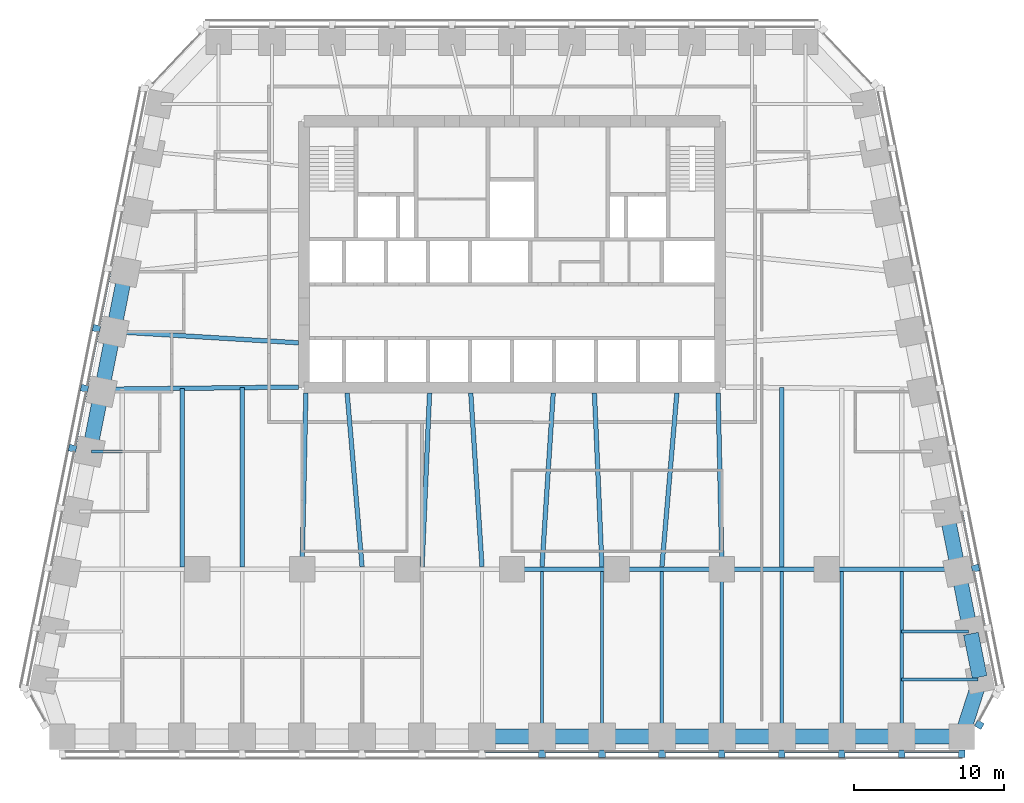
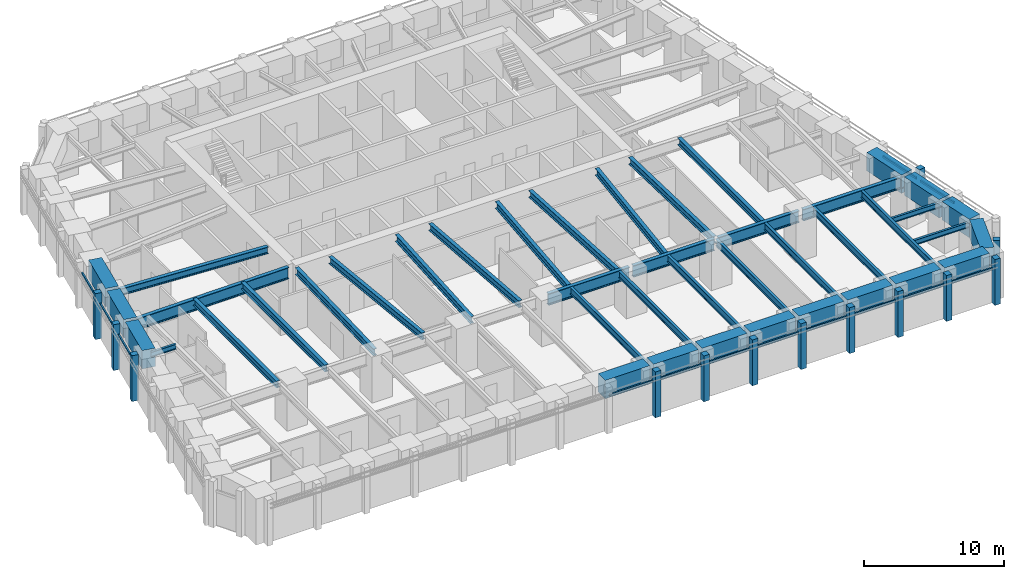
# One storey, part 2 of 10: 42 beams, 26 members, 4 elements without a shape of their own.
"""IFC4 building model written with IfcOpenShell, lengths in metres."""

from ifc_helpers import new_model, si_unit, direction, frame, origin, origin_2d, place, context, subcontext, project, spatial, rectangle, i_section, extrude, material, material_profile, profile_set, type_object, element, aggregate, save


model = new_model("IFC4")

# Units and contexts
model_context = context("Model", 3, precision=1e-05, world=origin(), true_north=direction((0.0, 1.0)))
body_context = subcontext(model_context, "Body", "Model", "MODEL_VIEW")
ifc_project = project(units=[si_unit("LENGTHUNIT", "METRE"), si_unit("AREAUNIT", "SQUARE_METRE"), si_unit("VOLUMEUNIT", "CUBIC_METRE"), si_unit("PLANEANGLEUNIT", "RADIAN"), si_unit("MASSUNIT", "GRAM", prefix="KILO")], contexts=[model_context])

# Site, building, storey
site_placement = place(None, origin())
site = spatial("IfcSite", under=ifc_project, at=site_placement, CompositionType="ELEMENT")
building_placement = place(site_placement, origin())
building = spatial("IfcBuilding", under=site, at=building_placement, Name="Isbrekke Arena Tower", CompositionType="ELEMENT")
storey_placement = place(building_placement, frame((0.0, 0.0, 103.0)))
storey = spatial("IfcBuildingStorey", under=building, at=storey_placement, Name="L22", CompositionType="ELEMENT", Elevation=103.0)

# Beams
ifc_material_1 = material(Name="Steel S355", Category="steel")
ifc_material_profile_1 = material_profile(ifc_material_1, i_section(OverallWidth=0.219970703125, OverallDepth=0.60009765625, WebThickness=0.011962890625, FlangeThickness=0.01904296875, FilletRadius=0.02392578125, at=origin_2d()), Name="IPE 600")
ifc_profile_set_1 = profile_set([ifc_material_profile_1], Name="Steel S355")
beam_type_1 = type_object("IfcBeamType", Name="B1 IPE 600", PredefinedType="BEAM", material=ifc_profile_set_1)
for number, where, z_axis, x_axis, name in (
    (1, (2.0, -17.02490234375, 3.550048828125), (0.0, 1.0, 0.0), (-1.0, 0.0, 0.0), "B1 beam S-S09 L22"),
    (2, (6.0, -17.02490234375, 3.550048828125), (0.0, 1.0, 0.0), (-1.0, 0.0, 0.0), "B1 beam S-S10 L22"),
    (3, (10.0, -17.02490234375, 3.550048828125), (0.0, 1.0, 0.0), (-1.0, 0.0, 0.0), "B1 beam S-S11 L22"),
):
    element("IfcBeam", number, at=place(storey_placement, frame(where, z_axis=z_axis, x_axis=x_axis)), inside=storey, type_object=beam_type_1, Name=name, PredefinedType="BEAM", context=body_context, shape_type="SweptSolid", body=[
        extrude(i_section(OverallWidth=0.219970703125, OverallDepth=0.60009765625, WebThickness=0.011962890625, FlangeThickness=0.01904296875, FilletRadius=0.02392578125, at=origin_2d()), origin(), (0.0, 0.0, 1.0), 10.8740234375),
    ])
beam_1_placement = place(storey_placement, frame((14.0, -17.02490234375, 3.550048828125), z_axis=(0.0, 1.0, 0.0), x_axis=(-1.0, 0.0, 0.0)))
element("IfcBeam", 4, at=beam_1_placement, inside=storey, type_object=beam_type_1, Name="B1 beam S-S12 L22", PredefinedType="BEAM", context=body_context, shape_type="SweptSolid", body=[
    extrude(i_section(OverallWidth=0.219970703125, OverallDepth=0.60009765625, WebThickness=0.011962890625, FlangeThickness=0.01904296875, FilletRadius=0.02392578125, at=origin_2d()), origin(), (0.0, 0.0, 1.0), 10.875),
])
for number, where, z_axis, x_axis, name in (
    (5, (18.0, -17.02490234375, 3.550048828125), (0.0, 1.0, 0.0), (-1.0, 0.0, 0.0), "B1 beam S-S13 L22"),
    (6, (22.0, -17.02490234375, 3.550048828125), (0.0, 1.0, 0.0), (-1.0, 0.0, 0.0), "B1 beam S-S14 L22"),
    (7, (26.0, -17.02490234375, 3.550048828125), (0.0, 1.0, 0.0), (-1.0, 0.0, 0.0), "B1 beam S-S15 L22"),
):
    element("IfcBeam", number, at=place(storey_placement, frame(where, z_axis=z_axis, x_axis=x_axis)), inside=storey, type_object=beam_type_1, Name=name, PredefinedType="BEAM", context=body_context, shape_type="SweptSolid", body=[
        extrude(i_section(OverallWidth=0.219970703125, OverallDepth=0.60009765625, WebThickness=0.011962890625, FlangeThickness=0.01904296875, FilletRadius=0.02392578125, at=origin_2d()), origin(), (0.0, 0.0, 1.0), 10.8740234375),
    ])
ifc_material_2 = material(Name="Steel S355", Category="steel")
ifc_material_profile_2 = material_profile(ifc_material_2, i_section(OverallWidth=0.18994140625, OverallDepth=0.449951171875, WebThickness=0.009521484375, FlangeThickness=0.0146484375, FilletRadius=0.02099609375, at=origin_2d()), Name="IPE 450")
ifc_profile_set_2 = profile_set([ifc_material_profile_2], Name="Steel S355")
beam_type_2 = type_object("IfcBeamType", Name="B2 IPE 450", PredefinedType="BEAM", material=ifc_profile_set_2)
beam_2_placement = place(storey_placement, frame((31.079345703125, -13.352783203125, 3.625), z_axis=(-1.0, 0.0, 0.0), x_axis=(0.0, -1.0, 0.0)))
element("IfcBeam", 8, at=beam_2_placement, inside=storey, type_object=beam_type_2, Name="B2 beam E-E01 L22", PredefinedType="BEAM", context=body_context, shape_type="SweptSolid", body=[
    extrude(i_section(OverallWidth=0.18994140625, OverallDepth=0.449951171875, WebThickness=0.009521484375, FlangeThickness=0.0146484375, FilletRadius=0.02099609375, at=origin_2d()), origin(), (0.0, 0.0, 1.0), 5.079345703125),
])
beam_3_placement = place(storey_placement, frame((30.44091796875, -10.161865234375, 3.625), z_axis=(-1.0, 0.0, 0.0), x_axis=(0.0, -1.0, 0.0)))
element("IfcBeam", 9, at=beam_3_placement, inside=storey, type_object=beam_type_2, Name="B2 beam E-E02 L22", PredefinedType="BEAM", context=body_context, shape_type="SweptSolid", body=[
    extrude(i_section(OverallWidth=0.18994140625, OverallDepth=0.449951171875, WebThickness=0.009521484375, FlangeThickness=0.0146484375, FilletRadius=0.02099609375, at=origin_2d()), origin(), (0.0, 0.0, 1.0), 4.44091796875),
])
beam_4_placement = place(storey_placement, frame((-28.041015625, 1.838134765625, 3.625), z_axis=(1.0, 0.0, 0.0), x_axis=(0.0, 1.0, 0.0)))
element("IfcBeam", 10, at=beam_4_placement, inside=storey, type_object=beam_type_2, Name="B2 beam E-W07 L22", PredefinedType="BEAM", context=body_context, shape_type="SweptSolid", body=[
    extrude(i_section(OverallWidth=0.18994140625, OverallDepth=0.449951171875, WebThickness=0.009521484375, FlangeThickness=0.0146484375, FilletRadius=0.02099609375, at=origin_2d()), origin(), (0.0, 0.0, 1.0), 2.041015625),
])
ifc_material_3 = material(Name="Steel S355", Category="steel")
ifc_material_profile_3 = material_profile(ifc_material_3, i_section(OverallWidth=0.300048828125, OverallDepth=0.60009765625, WebThickness=0.015380859375, FlangeThickness=0.030029296875, FilletRadius=0.027099609375, at=origin_2d()), Name="HEB 600")
ifc_profile_set_3 = profile_set([ifc_material_profile_3], Name="Steel S355")
beam_type_3 = type_object("IfcBeamType", Name="B7 HEB 600", PredefinedType="BEAM", material=ifc_profile_set_3)
beam_5_placement = place(storey_placement, frame((-22.0, -5.84912109375, 3.550048828125), z_axis=(0.0, 1.0, 0.0), x_axis=(-1.0, 0.0, 0.0)))
element("IfcBeam", 11, at=beam_5_placement, inside=storey, type_object=beam_type_3, Name="B7 beam C-M02 L22", PredefinedType="BEAM", context=body_context, shape_type="SweptSolid", body=[
    extrude(i_section(OverallWidth=0.300048828125, OverallDepth=0.60009765625, WebThickness=0.015380859375, FlangeThickness=0.030029296875, FilletRadius=0.027099609375, at=origin_2d()), origin(), (0.0, 0.0, 1.0), 11.91064453125),
])
beam_6_placement = place(storey_placement, frame((-18.0, -5.84912109375, 3.550048828125), z_axis=(0.0, 1.0, 0.0), x_axis=(-1.0, 0.0, 0.0)))
element("IfcBeam", 12, at=beam_6_placement, inside=storey, type_object=beam_type_3, Name="B7 beam C-M03 L22", PredefinedType="BEAM", context=body_context, shape_type="SweptSolid", body=[
    extrude(i_section(OverallWidth=0.300048828125, OverallDepth=0.60009765625, WebThickness=0.015380859375, FlangeThickness=0.030029296875, FilletRadius=0.027099609375, at=origin_2d()), origin(), (0.0, 0.0, 1.0), 11.956298828125),
])
beam_7_placement = place(storey_placement, frame((-14.0, -5.8466796875, 3.550048828125), z_axis=(0.021552887044, 0.999767709551, 0.0), x_axis=(-0.999767709551, 0.021552887044, 0.0)))
element("IfcBeam", 13, at=beam_7_placement, inside=storey, type_object=beam_type_3, Name="B7 beam C-M04 L22", PredefinedType="BEAM", context=body_context, shape_type="SweptSolid", body=[
    extrude(i_section(OverallWidth=0.300048828125, OverallDepth=0.60009765625, WebThickness=0.015380859375, FlangeThickness=0.030029296875, FilletRadius=0.027099609375, at=origin_2d()), origin(), (0.0, 0.0, 1.0), 11.599365234375),
])
beam_8_placement = place(storey_placement, frame((-10.001220703125, -5.836181640625, 3.550048828125), z_axis=(-0.085885827104, 0.996304985786, 0.0), x_axis=(-0.996304985786, -0.085885827104, 0.0)))
element("IfcBeam", 14, at=beam_8_placement, inside=storey, type_object=beam_type_3, Name="B7 beam C-M05 L22", PredefinedType="BEAM", context=body_context, shape_type="SweptSolid", body=[
    extrude(i_section(OverallWidth=0.300048828125, OverallDepth=0.60009765625, WebThickness=0.015380859375, FlangeThickness=0.030029296875, FilletRadius=0.027099609375, at=origin_2d()), origin(), (0.0, 0.0, 1.0), 11.629150390625),
])
beam_9_placement = place(storey_placement, frame((-5.999755859375, -5.842529296875, 3.550048828125), z_axis=(0.043070161667, 0.999072050041, 0.0), x_axis=(-0.999072050041, 0.043070161667, 0.0)))
element("IfcBeam", 15, at=beam_9_placement, inside=storey, type_object=beam_type_3, Name="B7 beam C-M06 L22", PredefinedType="BEAM", context=body_context, shape_type="SweptSolid", body=[
    extrude(i_section(OverallWidth=0.300048828125, OverallDepth=0.60009765625, WebThickness=0.015380859375, FlangeThickness=0.030029296875, FilletRadius=0.027099609375, at=origin_2d()), origin(), (0.0, 0.0, 1.0), 11.603271484375),
])
for number, where, z_axis, x_axis, name in (
    (16, (-2.000732421875, -5.83935546875, 3.550048828125), (-0.064516666031, 0.997916629686, 0.0), (-0.997916629686, -0.064516666031, 0.0), "B7 beam C-M07 L22"),
    (17, (2.000732421875, -5.83935546875, 3.550048828125), (0.064516666031, 0.997916629686, 0.0), (-0.997916629686, 0.064516666031, 0.0), "B7 beam C-M08 L22"),
):
    element("IfcBeam", number, at=place(storey_placement, frame(where, z_axis=z_axis, x_axis=x_axis)), inside=storey, type_object=beam_type_3, Name=name, PredefinedType="BEAM", context=body_context, shape_type="SweptSolid", body=[
        extrude(i_section(OverallWidth=0.300048828125, OverallDepth=0.60009765625, WebThickness=0.015380859375, FlangeThickness=0.030029296875, FilletRadius=0.027099609375, at=origin_2d()), origin(), (0.0, 0.0, 1.0), 11.613525390625),
    ])
beam_10_placement = place(storey_placement, frame((5.999755859375, -5.842529296875, 3.550048828125), z_axis=(-0.043070161667, 0.999072050041, 0.0), x_axis=(-0.999072050041, -0.043070161667, 0.0)))
element("IfcBeam", 18, at=beam_10_placement, inside=storey, type_object=beam_type_3, Name="B7 beam C-M09 L22", PredefinedType="BEAM", context=body_context, shape_type="SweptSolid", body=[
    extrude(i_section(OverallWidth=0.300048828125, OverallDepth=0.60009765625, WebThickness=0.015380859375, FlangeThickness=0.030029296875, FilletRadius=0.027099609375, at=origin_2d()), origin(), (0.0, 0.0, 1.0), 11.603271484375),
])
beam_11_placement = place(storey_placement, frame((10.001220703125, -5.836181640625, 3.550048828125), z_axis=(0.085885827104, 0.996304985786, 0.0), x_axis=(-0.996304985786, 0.085885827104, 0.0)))
element("IfcBeam", 19, at=beam_11_placement, inside=storey, type_object=beam_type_3, Name="B7 beam C-M10 L22", PredefinedType="BEAM", context=body_context, shape_type="SweptSolid", body=[
    extrude(i_section(OverallWidth=0.300048828125, OverallDepth=0.60009765625, WebThickness=0.015380859375, FlangeThickness=0.030029296875, FilletRadius=0.027099609375, at=origin_2d()), origin(), (0.0, 0.0, 1.0), 11.629150390625),
])
beam_12_placement = place(storey_placement, frame((14.0, -5.8466796875, 3.550048828125), z_axis=(-0.021552887044, 0.999767709551, 0.0), x_axis=(-0.999767709551, -0.021552887044, 0.0)))
element("IfcBeam", 20, at=beam_12_placement, inside=storey, type_object=beam_type_3, Name="B7 beam C-M11 L22", PredefinedType="BEAM", context=body_context, shape_type="SweptSolid", body=[
    extrude(i_section(OverallWidth=0.300048828125, OverallDepth=0.60009765625, WebThickness=0.015380859375, FlangeThickness=0.030029296875, FilletRadius=0.027099609375, at=origin_2d()), origin(), (0.0, 0.0, 1.0), 11.599365234375),
])
beam_13_placement = place(storey_placement, frame((18.0, -5.84912109375, 3.550048828125), z_axis=(0.0, 1.0, 0.0), x_axis=(-1.0, 0.0, 0.0)))
element("IfcBeam", 21, at=beam_13_placement, inside=storey, type_object=beam_type_3, Name="B7 beam C-M12 L22", PredefinedType="BEAM", context=body_context, shape_type="SweptSolid", body=[
    extrude(i_section(OverallWidth=0.300048828125, OverallDepth=0.60009765625, WebThickness=0.015380859375, FlangeThickness=0.030029296875, FilletRadius=0.027099609375, at=origin_2d()), origin(), (0.0, 0.0, 1.0), 11.956298828125),
])
beam_14_placement = place(storey_placement, frame((-26.431884765625, 9.837646484375, 3.550048828125), z_axis=(0.998172191876, -0.060434057993, 0.0), x_axis=(0.060434057993, 0.998172191876, 0.0)))
element("IfcBeam", 22, at=beam_14_placement, inside=storey, type_object=beam_type_3, Name="B7 beam E-W05 L22", PredefinedType="BEAM", context=body_context, shape_type="SweptSolid", body=[
    extrude(i_section(OverallWidth=0.300048828125, OverallDepth=0.60009765625, WebThickness=0.015380859375, FlangeThickness=0.030029296875, FilletRadius=0.027099609375, at=origin_2d()), origin(), (0.0, 0.0, 1.0), 12.2041015625),
])

# Curtain wall, members
ifc_material_4 = material(Name="Glazed aluminium curtain wall", Category="aluminium")
curtain_wall_type = type_object("IfcCurtainWallType", Name="CWM TOWER CURTAIN WALL MID ZONE", PredefinedType="USERDEFINED", material=ifc_material_4)
curtain_wall_1_placement = place(storey_placement, origin())
curtain_wall_1 = element("IfcCurtainWall", 23, at=curtain_wall_1_placement, inside=storey, type_object=curtain_wall_type, Name="CWM curtain wall L22-S", ObjectType="TOWER CURTAIN WALL MID ZONE", PredefinedType="USERDEFINED")
ifc_material_5 = material(Name="Aluminium mullion, pale brick slip cladding", Category="masonry")
ifc_material_profile_4 = material_profile(ifc_material_5, rectangle(XDim=0.449951171875, YDim=0.5, at=origin_2d()), Name="PIER 450X500")
ifc_profile_set_4 = profile_set([ifc_material_profile_4], Name="Aluminium mullion, pale brick slip cladding")
member_type_1 = type_object("IfcMemberType", Name="CWM-M PIER MULLION 450 x 500", PredefinedType="MULLION", material=ifc_profile_set_4)
member_1_placement = place(storey_placement, frame((2.0, -18.324951171875, 0.0), z_axis=(0.0, 0.0, 1.0), x_axis=(1.0, 0.0, 0.0)))
member_1 = element("IfcMember", 24, at=member_1_placement, type_object=member_type_1, Name="CWM-M mullion 9", PredefinedType="MULLION", context=body_context, shape_type="SweptSolid", body=[
    extrude(rectangle(XDim=0.449951171875, YDim=0.5, at=origin_2d()), origin(), (0.0, 0.0, 1.0), 4.0),
])
member_2_placement = place(storey_placement, frame((6.0, -18.324951171875, 0.0), z_axis=(0.0, 0.0, 1.0), x_axis=(1.0, 0.0, 0.0)))
member_2 = element("IfcMember", 25, at=member_2_placement, type_object=member_type_1, Name="CWM-M mullion 10", PredefinedType="MULLION", context=body_context, shape_type="SweptSolid", body=[
    extrude(rectangle(XDim=0.449951171875, YDim=0.5, at=origin_2d()), origin(), (0.0, 0.0, 1.0), 4.0),
])
member_3_placement = place(storey_placement, frame((10.0, -18.324951171875, 0.0), z_axis=(0.0, 0.0, 1.0), x_axis=(1.0, 0.0, 0.0)))
member_3 = element("IfcMember", 26, at=member_3_placement, type_object=member_type_1, Name="CWM-M mullion 11", PredefinedType="MULLION", context=body_context, shape_type="SweptSolid", body=[
    extrude(rectangle(XDim=0.449951171875, YDim=0.5, at=origin_2d()), origin(), (0.0, 0.0, 1.0), 4.0),
])
member_4_placement = place(storey_placement, frame((14.0, -18.324951171875, 0.0), z_axis=(0.0, 0.0, 1.0), x_axis=(1.0, 0.0, 0.0)))
member_4 = element("IfcMember", 27, at=member_4_placement, type_object=member_type_1, Name="CWM-M mullion 12", PredefinedType="MULLION", context=body_context, shape_type="SweptSolid", body=[
    extrude(rectangle(XDim=0.449951171875, YDim=0.5, at=origin_2d()), origin(), (0.0, 0.0, 1.0), 4.0),
])
member_5_placement = place(storey_placement, frame((18.0, -18.324951171875, 0.0), z_axis=(0.0, 0.0, 1.0), x_axis=(1.0, 0.0, 0.0)))
member_5 = element("IfcMember", 28, at=member_5_placement, type_object=member_type_1, Name="CWM-M mullion 13", PredefinedType="MULLION", context=body_context, shape_type="SweptSolid", body=[
    extrude(rectangle(XDim=0.449951171875, YDim=0.5, at=origin_2d()), origin(), (0.0, 0.0, 1.0), 4.0),
])
member_6_placement = place(storey_placement, frame((22.0, -18.324951171875, 0.0), z_axis=(0.0, 0.0, 1.0), x_axis=(1.0, 0.0, 0.0)))
member_6 = element("IfcMember", 29, at=member_6_placement, type_object=member_type_1, Name="CWM-M mullion 14", PredefinedType="MULLION", context=body_context, shape_type="SweptSolid", body=[
    extrude(rectangle(XDim=0.449951171875, YDim=0.5, at=origin_2d()), origin(), (0.0, 0.0, 1.0), 4.0),
])
member_7_placement = place(storey_placement, frame((26.0, -18.324951171875, 0.0), z_axis=(0.0, 0.0, 1.0), x_axis=(1.0, 0.0, 0.0)))
member_7 = element("IfcMember", 30, at=member_7_placement, type_object=member_type_1, Name="CWM-M mullion 15", PredefinedType="MULLION", context=body_context, shape_type="SweptSolid", body=[
    extrude(rectangle(XDim=0.449951171875, YDim=0.5, at=origin_2d()), origin(), (0.0, 0.0, 1.0), 4.0),
])
member_8_placement = place(storey_placement, frame((30.0, -18.324951171875, 0.0), z_axis=(0.0, 0.0, 1.0), x_axis=(1.0, 0.0, 0.0)))
member_8 = element("IfcMember", 31, at=member_8_placement, type_object=member_type_1, Name="CWM-M mullion 16", PredefinedType="MULLION", context=body_context, shape_type="SweptSolid", body=[
    extrude(rectangle(XDim=0.449951171875, YDim=0.5, at=origin_2d()), origin(), (0.0, 0.0, 1.0), 4.0),
])

# Curtain wall, member
curtain_wall_2_placement = place(storey_placement, origin())
curtain_wall_2 = element("IfcCurtainWall", 32, at=curtain_wall_2_placement, inside=storey, type_object=curtain_wall_type, Name="CWM curtain wall L22-SE", ObjectType="TOWER CURTAIN WALL MID ZONE", PredefinedType="USERDEFINED")
member_9_placement = place(storey_placement, frame((31.17529296875, -16.382080078125, 0.0), z_axis=(0.0, 0.0, 1.0), x_axis=(0.481918749773, 0.876215908676, 0.0)))
member_9 = element("IfcMember", 33, at=member_9_placement, type_object=member_type_1, Name="CWM-M mullion 1", PredefinedType="MULLION", context=body_context, shape_type="SweptSolid", body=[
    extrude(rectangle(XDim=0.449951171875, YDim=0.5, at=origin_2d()), origin(), (0.0, 0.0, 1.0), 4.0),
])
aggregate(curtain_wall_2, [member_9])

curtain_wall_3_placement = place(storey_placement, origin())
curtain_wall_3 = element("IfcCurtainWall", 34, at=curtain_wall_3_placement, inside=storey, type_object=curtain_wall_type, Name="CWM curtain wall L22-E", ObjectType="TOWER CURTAIN WALL MID ZONE", PredefinedType="USERDEFINED")
member_10_placement = place(storey_placement, frame((30.918701171875, -5.936279296875, 0.0), z_axis=(0.0, 0.0, 1.0), x_axis=(-0.196116135138, 0.980580675691, 0.0)))
member_10 = element("IfcMember", 35, at=member_10_placement, type_object=member_type_1, Name="CWM-M mullion 3", PredefinedType="MULLION", context=body_context, shape_type="SweptSolid", body=[
    extrude(rectangle(XDim=0.449951171875, YDim=0.5, at=origin_2d()), origin(), (0.0, 0.0, 1.0), 4.0),
])

# Curtain wall, members
curtain_wall_4_placement = place(storey_placement, origin())
curtain_wall_4 = element("IfcCurtainWall", 36, at=curtain_wall_4_placement, inside=storey, type_object=curtain_wall_type, Name="CWM curtain wall L22-W", ObjectType="TOWER CURTAIN WALL MID ZONE", PredefinedType="USERDEFINED")
member_11_placement = place(storey_placement, frame((-27.71875, 10.063720703125, 0.0), z_axis=(0.0, 0.0, 1.0), x_axis=(-0.196116135138, -0.980580675691, 0.0)))
member_11 = element("IfcMember", 37, at=member_11_placement, type_object=member_type_1, Name="CWM-M mullion 5", PredefinedType="MULLION", context=body_context, shape_type="SweptSolid", body=[
    extrude(rectangle(XDim=0.449951171875, YDim=0.5, at=origin_2d()), origin(), (0.0, 0.0, 1.0), 4.0),
])
member_12_placement = place(storey_placement, frame((-28.518798828125, 6.063720703125, 0.0), z_axis=(0.0, 0.0, 1.0), x_axis=(-0.196116135138, -0.980580675691, 0.0)))
member_12 = element("IfcMember", 38, at=member_12_placement, type_object=member_type_1, Name="CWM-M mullion 6", PredefinedType="MULLION", context=body_context, shape_type="SweptSolid", body=[
    extrude(rectangle(XDim=0.449951171875, YDim=0.5, at=origin_2d()), origin(), (0.0, 0.0, 1.0), 4.0),
])
member_13_placement = place(storey_placement, frame((-29.318603515625, 2.063720703125, 0.0), z_axis=(0.0, 0.0, 1.0), x_axis=(-0.196116135138, -0.980580675691, 0.0)))
member_13 = element("IfcMember", 39, at=member_13_placement, type_object=member_type_1, Name="CWM-M mullion 7", PredefinedType="MULLION", context=body_context, shape_type="SweptSolid", body=[
    extrude(rectangle(XDim=0.449951171875, YDim=0.5, at=origin_2d()), origin(), (0.0, 0.0, 1.0), 4.0),
])

# Member
ifc_material_6 = material(Name="Aluminium transom", Category="aluminium")
ifc_material_profile_5 = material_profile(ifc_material_6, rectangle(XDim=0.1201171875, YDim=0.199951171875, at=origin_2d()), Name="TRANSOM 120X200")
ifc_profile_set_5 = profile_set([ifc_material_profile_5], Name="Aluminium transom")
member_type_2 = type_object("IfcMemberType", Name="CWM-T TRANSOM 120 x 200", PredefinedType="USERDEFINED", material=ifc_profile_set_5)
member_14_placement = place(storey_placement, frame((-1.77490234375, -18.175048828125, 3.0), z_axis=(1.0, 0.0, 0.0), x_axis=(0.0, 1.0, 0.0)))
member_14 = element("IfcMember", 40, at=member_14_placement, type_object=member_type_2, Name="CWM-T transom 8", ObjectType="TRANSOM", PredefinedType="USERDEFINED", context=body_context, shape_type="SweptSolid", body=[
    extrude(rectangle(XDim=0.1201171875, YDim=0.199951171875, at=origin_2d()), origin(), (0.0, 0.0, 1.0), 3.5498046875),
])

member_15_placement = place(storey_placement, frame((2.22509765625, -18.175048828125, 3.0), z_axis=(1.0, 0.0, 0.0), x_axis=(0.0, 1.0, 0.0)))
member_15 = element("IfcMember", 41, at=member_15_placement, type_object=member_type_2, Name="CWM-T transom 9", ObjectType="TRANSOM", PredefinedType="USERDEFINED", context=body_context, shape_type="SweptSolid", body=[
    extrude(rectangle(XDim=0.1201171875, YDim=0.199951171875, at=origin_2d()), origin(), (0.0, 0.0, 1.0), 3.5498046875),
])

member_16_placement = place(storey_placement, frame((6.22509765625, -18.175048828125, 3.0), z_axis=(1.0, 0.0, 0.0), x_axis=(0.0, 1.0, 0.0)))
member_16 = element("IfcMember", 42, at=member_16_placement, type_object=member_type_2, Name="CWM-T transom 10", ObjectType="TRANSOM", PredefinedType="USERDEFINED", context=body_context, shape_type="SweptSolid", body=[
    extrude(rectangle(XDim=0.1201171875, YDim=0.199951171875, at=origin_2d()), origin(), (0.0, 0.0, 1.0), 3.5498046875),
])

member_17_placement = place(storey_placement, frame((10.22509765625, -18.175048828125, 3.0), z_axis=(1.0, 0.0, 0.0), x_axis=(0.0, 1.0, 0.0)))
member_17 = element("IfcMember", 43, at=member_17_placement, type_object=member_type_2, Name="CWM-T transom 11", ObjectType="TRANSOM", PredefinedType="USERDEFINED", context=body_context, shape_type="SweptSolid", body=[
    extrude(rectangle(XDim=0.1201171875, YDim=0.199951171875, at=origin_2d()), origin(), (0.0, 0.0, 1.0), 3.5498046875),
])

member_18_placement = place(storey_placement, frame((14.22509765625, -18.175048828125, 3.0), z_axis=(1.0, 0.0, 0.0), x_axis=(0.0, 1.0, 0.0)))
member_18 = element("IfcMember", 44, at=member_18_placement, type_object=member_type_2, Name="CWM-T transom 12", ObjectType="TRANSOM", PredefinedType="USERDEFINED", context=body_context, shape_type="SweptSolid", body=[
    extrude(rectangle(XDim=0.1201171875, YDim=0.199951171875, at=origin_2d()), origin(), (0.0, 0.0, 1.0), 3.5498046875),
])

member_19_placement = place(storey_placement, frame((18.22509765625, -18.175048828125, 3.0), z_axis=(1.0, 0.0, 0.0), x_axis=(0.0, 1.0, 0.0)))
member_19 = element("IfcMember", 45, at=member_19_placement, type_object=member_type_2, Name="CWM-T transom 13", ObjectType="TRANSOM", PredefinedType="USERDEFINED", context=body_context, shape_type="SweptSolid", body=[
    extrude(rectangle(XDim=0.1201171875, YDim=0.199951171875, at=origin_2d()), origin(), (0.0, 0.0, 1.0), 3.5498046875),
])

member_20_placement = place(storey_placement, frame((22.22509765625, -18.175048828125, 3.0), z_axis=(1.0, 0.0, 0.0), x_axis=(0.0, 1.0, 0.0)))
member_20 = element("IfcMember", 46, at=member_20_placement, type_object=member_type_2, Name="CWM-T transom 14", ObjectType="TRANSOM", PredefinedType="USERDEFINED", context=body_context, shape_type="SweptSolid", body=[
    extrude(rectangle(XDim=0.1201171875, YDim=0.199951171875, at=origin_2d()), origin(), (0.0, 0.0, 1.0), 3.5498046875),
])

member_21_placement = place(storey_placement, frame((26.22509765625, -18.175048828125, 3.0), z_axis=(1.0, 0.0, 0.0), x_axis=(0.0, 1.0, 0.0)))
member_21 = element("IfcMember", 47, at=member_21_placement, type_object=member_type_2, Name="CWM-T transom 15", ObjectType="TRANSOM", PredefinedType="USERDEFINED", context=body_context, shape_type="SweptSolid", body=[
    extrude(rectangle(XDim=0.1201171875, YDim=0.199951171875, at=origin_2d()), origin(), (0.0, 0.0, 1.0), 3.5498046875),
])

aggregate(curtain_wall_1, [member_1, member_2, member_3, member_4, member_5, member_6, member_7, member_8, member_14, member_15, member_16, member_17, member_18, member_19, member_20, member_21])

member_22_placement = place(storey_placement, frame((31.527587890625, -9.7451171875, 3.0), z_axis=(-0.196154943734, 0.980572913173, 0.0), x_axis=(-0.980572913173, -0.196154943734, 0.0)))
member_22 = element("IfcMember", 48, at=member_22_placement, type_object=member_type_2, Name="CWM-T transom 2", ObjectType="TRANSOM", PredefinedType="USERDEFINED", context=body_context, shape_type="SweptSolid", body=[
    extrude(rectangle(XDim=0.1201171875, YDim=0.199951171875, at=origin_2d()), origin(), (0.0, 0.0, 1.0), 3.62939453125),
])

member_23_placement = place(storey_placement, frame((30.7275390625, -5.7451171875, 3.0), z_axis=(-0.196154943734, 0.980572913173, 0.0), x_axis=(-0.980572913173, -0.196154943734, 0.0)))
member_23 = element("IfcMember", 49, at=member_23_placement, type_object=member_type_2, Name="CWM-T transom 3", ObjectType="TRANSOM", PredefinedType="USERDEFINED", context=body_context, shape_type="SweptSolid", body=[
    extrude(rectangle(XDim=0.1201171875, YDim=0.199951171875, at=origin_2d()), origin(), (0.0, 0.0, 1.0), 3.62939453125),
])

aggregate(curtain_wall_3, [member_10, member_22, member_23])

member_24_placement = place(storey_placement, frame((-26.815673828125, 13.813720703125, 3.0), z_axis=(-0.196154943734, -0.980572913173, 0.0), x_axis=(0.980572913173, -0.196154943734, 0.0)))
member_24 = element("IfcMember", 50, at=member_24_placement, type_object=member_type_2, Name="CWM-T transom 4", ObjectType="TRANSOM", PredefinedType="USERDEFINED", context=body_context, shape_type="SweptSolid", body=[
    extrude(rectangle(XDim=0.1201171875, YDim=0.199951171875, at=origin_2d()), origin(), (0.0, 0.0, 1.0), 3.62939453125),
])

member_25_placement = place(storey_placement, frame((-27.61572265625, 9.813720703125, 3.0), z_axis=(-0.196090262229, -0.980585849918, 0.0), x_axis=(0.980585849918, -0.196090262229, 0.0)))
member_25 = element("IfcMember", 51, at=member_25_placement, type_object=member_type_2, Name="CWM-T transom 5", ObjectType="TRANSOM", PredefinedType="USERDEFINED", context=body_context, shape_type="SweptSolid", body=[
    extrude(rectangle(XDim=0.1201171875, YDim=0.199951171875, at=origin_2d()), origin(), (0.0, 0.0, 1.0), 3.62939453125),
])

member_26_placement = place(storey_placement, frame((-28.415771484375, 5.813720703125, 3.0), z_axis=(-0.196090262229, -0.980585849918, 0.0), x_axis=(0.980585849918, -0.196090262229, 0.0)))
member_26 = element("IfcMember", 52, at=member_26_placement, type_object=member_type_2, Name="CWM-T transom 6", ObjectType="TRANSOM", PredefinedType="USERDEFINED", context=body_context, shape_type="SweptSolid", body=[
    extrude(rectangle(XDim=0.1201171875, YDim=0.199951171875, at=origin_2d()), origin(), (0.0, 0.0, 1.0), 3.62939453125),
])

aggregate(curtain_wall_4, [member_11, member_12, member_13, member_24, member_25, member_26])

# Beams
ifc_material_7 = material(Name="Steel S355", Category="steel")
ifc_material_profile_6 = material_profile(ifc_material_7, i_section(OverallWidth=0.302001953125, OverallDepth=1.008056640625, WebThickness=0.02099609375, FlangeThickness=0.0400390625, FilletRadius=0.030029296875, at=origin_2d()), Name="HEM 1000")
ifc_profile_set_6 = profile_set([ifc_material_profile_6], Name="Steel S355")
beam_type_4 = type_object("IfcBeamType", Name="G1 HEM 1000", PredefinedType="BEAM", material=ifc_profile_set_6)
for number, where, z_axis, x_axis, name in (
    (53, (0.14990234375, -6.0, 3.345947265625), (1.0, 0.0, 0.0), (0.0, 1.0, 0.0), "G1 beam G1-05 L22"),
    (54, (7.14990234375, -6.0, 3.345947265625), (1.0, 0.0, 0.0), (0.0, 1.0, 0.0), "G1 beam G1-06 L22"),
    (55, (14.14990234375, -6.0, 3.345947265625), (1.0, 0.0, 0.0), (0.0, 1.0, 0.0), "G1 beam G1-07 L22"),
):
    element("IfcBeam", number, at=place(storey_placement, frame(where, z_axis=z_axis, x_axis=x_axis)), inside=storey, type_object=beam_type_4, Name=name, PredefinedType="BEAM", context=body_context, shape_type="SweptSolid", body=[
        extrude(i_section(OverallWidth=0.302001953125, OverallDepth=1.008056640625, WebThickness=0.02099609375, FlangeThickness=0.0400390625, FilletRadius=0.030029296875, at=origin_2d()), origin(), (0.0, 0.0, 1.0), 6.7001953125),
    ])
beam_15_placement = place(storey_placement, frame((21.14990234375, -6.0, 3.345947265625), z_axis=(1.0, 0.0, 0.0), x_axis=(0.0, 1.0, 0.0)))
element("IfcBeam", 56, at=beam_15_placement, inside=storey, type_object=beam_type_4, Name="G1 beam G1-08 L22", PredefinedType="BEAM", context=body_context, shape_type="SweptSolid", body=[
    extrude(i_section(OverallWidth=0.302001953125, OverallDepth=1.008056640625, WebThickness=0.02099609375, FlangeThickness=0.0400390625, FilletRadius=0.030029296875, at=origin_2d()), origin(), (0.0, 0.0, 1.0), 8.64111328125),
])
ifc_material_8 = material(Name="Steel S355", Category="steel")
ifc_material_profile_7 = material_profile(ifc_material_8, i_section(OverallWidth=0.302001953125, OverallDepth=1.008056640625, WebThickness=0.02099609375, FlangeThickness=0.0400390625, FilletRadius=0.030029296875, at=origin_2d()), Name="HEM 1000")
ifc_profile_set_7 = profile_set([ifc_material_profile_7], Name="Steel S355")
beam_type_5 = type_object("IfcBeamType", Name="G2 HEM 1000", PredefinedType="BEAM", material=ifc_profile_set_7)
beam_16_placement = place(storey_placement, frame((-14.25, 6.14990234375, 3.345947265625), z_axis=(-0.999934928157, -0.011407867963, 0.0), x_axis=(0.011407867963, -0.999934928157, 0.0)))
element("IfcBeam", 57, at=beam_16_placement, inside=storey, type_object=beam_type_5, Name="G2 beam G2-W L22", PredefinedType="BEAM", context=body_context, shape_type="SweptSolid", body=[
    extrude(i_section(OverallWidth=0.302001953125, OverallDepth=1.008056640625, WebThickness=0.02099609375, FlangeThickness=0.0400390625, FilletRadius=0.030029296875, at=origin_2d()), origin(), (0.0, 0.0, 1.0), 13.140380859375),
])
ifc_material_9 = material(Name="Concrete B80 (C80/95)", Category="concrete")
ifc_material_profile_8 = material_profile(ifc_material_9, rectangle(XDim=1.0, YDim=1.60009765625, at=origin_2d()), Name="RC 1000x1600")
ifc_profile_set_8 = profile_set([ifc_material_profile_8], Name="Concrete B80 (C80/95)")
beam_type_6 = type_object("IfcBeamType", Name="SB2 RC 1000 x 1600", PredefinedType="SPANDREL", material=ifc_profile_set_8)
for number, where, z_axis, x_axis, name in (
    (58, (-1.85009765625, -17.175048828125, 3.199951171875), (1.0, 0.0, 0.0), (0.0, 1.0, 0.0), "SB2 spandrel S08-S09 L22"),
    (59, (2.14990234375, -17.175048828125, 3.199951171875), (1.0, 0.0, 0.0), (0.0, 1.0, 0.0), "SB2 spandrel S09-S10 L22"),
    (60, (6.14990234375, -17.175048828125, 3.199951171875), (1.0, 0.0, 0.0), (0.0, 1.0, 0.0), "SB2 spandrel S10-S11 L22"),
    (61, (10.14990234375, -17.175048828125, 3.199951171875), (1.0, 0.0, 0.0), (0.0, 1.0, 0.0), "SB2 spandrel S11-S12 L22"),
    (62, (14.14990234375, -17.175048828125, 3.199951171875), (1.0, 0.0, 0.0), (0.0, 1.0, 0.0), "SB2 spandrel S12-S13 L22"),
    (63, (18.14990234375, -17.175048828125, 3.199951171875), (1.0, 0.0, 0.0), (0.0, 1.0, 0.0), "SB2 spandrel S13-S14 L22"),
    (64, (22.14990234375, -17.175048828125, 3.199951171875), (1.0, 0.0, 0.0), (0.0, 1.0, 0.0), "SB2 spandrel S14-S15 L22"),
    (65, (26.14990234375, -17.175048828125, 3.199951171875), (1.0, 0.0, 0.0), (0.0, 1.0, 0.0), "SB2 spandrel S15-S16 L22"),
):
    element("IfcBeam", number, at=place(storey_placement, frame(where, z_axis=z_axis, x_axis=x_axis)), inside=storey, type_object=beam_type_6, Name=name, PredefinedType="SPANDREL", context=body_context, shape_type="SweptSolid", body=[
        extrude(rectangle(XDim=1.0, YDim=1.60009765625, at=origin_2d()), origin(), (0.0, 0.0, 1.0), 3.7001953125),
    ])
beam_17_placement = place(storey_placement, frame((30.0458984375, -17.0322265625, 3.199951171875), z_axis=(0.306175101476, 0.951975213562, 0.0), x_axis=(-0.951975213562, 0.306175101476, 0.0)))
element("IfcBeam", 66, at=beam_17_placement, inside=storey, type_object=beam_type_6, Name="SB2 spandrel S16-E01 L22", PredefinedType="SPANDREL", context=body_context, shape_type="SweptSolid", body=[
    extrude(rectangle(XDim=1.0, YDim=1.60009765625, at=origin_2d()), origin(), (0.0, 0.0, 1.0), 3.715087890625),
])
beam_18_placement = place(storey_placement, frame((31.19970703125, -13.205810546875, 3.199951171875), z_axis=(-0.196100243168, 0.980583853951, 0.0), x_axis=(-0.980583853951, -0.196100243168, 0.0)))
element("IfcBeam", 67, at=beam_18_placement, inside=storey, type_object=beam_type_6, Name="SB2 spandrel E01-E02 L22", PredefinedType="SPANDREL", context=body_context, shape_type="SweptSolid", body=[
    extrude(rectangle(XDim=1.0, YDim=1.60009765625, at=origin_2d()), origin(), (0.0, 0.0, 1.0), 2.954345703125),
])
beam_19_placement = place(storey_placement, frame((30.5615234375, -10.0146484375, 3.199951171875), z_axis=(-0.1960664412, 0.980590613169, 0.0), x_axis=(-0.980590613169, -0.1960664412, 0.0)))
element("IfcBeam", 68, at=beam_19_placement, inside=storey, type_object=beam_type_6, Name="SB2 spandrel E02-E03 L22", PredefinedType="SPANDREL", context=body_context, shape_type="SweptSolid", body=[
    extrude(rectangle(XDim=1.0, YDim=1.60009765625, at=origin_2d()), origin(), (0.0, 0.0, 1.0), 3.779052734375),
])
beam_20_placement = place(storey_placement, frame((29.76171875, -6.0146484375, 3.199951171875), z_axis=(-0.196128558387, 0.980578190959, 0.0), x_axis=(-0.980578190959, -0.196128558387, 0.0)))
element("IfcBeam", 69, at=beam_20_placement, inside=storey, type_object=beam_type_6, Name="SB2 spandrel E03-E04 L22", PredefinedType="SPANDREL", context=body_context, shape_type="SweptSolid", body=[
    extrude(rectangle(XDim=1.0, YDim=1.60009765625, at=origin_2d()), origin(), (0.0, 0.0, 1.0), 3.779296875),
])
beam_21_placement = place(storey_placement, frame((-25.820556640625, 13.691162109375, 3.199951171875), z_axis=(-0.1960664412, -0.980590613169, 0.0), x_axis=(0.980590613169, -0.1960664412, 0.0)))
element("IfcBeam", 70, at=beam_21_placement, inside=storey, type_object=beam_type_6, Name="SB2 spandrel W04-W05 L22", PredefinedType="SPANDREL", context=body_context, shape_type="SweptSolid", body=[
    extrude(rectangle(XDim=1.0, YDim=1.60009765625, at=origin_2d()), origin(), (0.0, 0.0, 1.0), 3.779052734375),
])
for number, where, z_axis, x_axis, name in (
    (71, (-26.620361328125, 9.691162109375, 3.199951171875), (-0.196128558387, -0.980578190959, 0.0), (0.980578190959, -0.196128558387, 0.0), "SB2 spandrel W05-W06 L22"),
    (72, (-27.42041015625, 5.691162109375, 3.199951171875), (-0.196128558387, -0.980578190959, 0.0), (0.980578190959, -0.196128558387, 0.0), "SB2 spandrel W06-W07 L22"),
):
    element("IfcBeam", number, at=place(storey_placement, frame(where, z_axis=z_axis, x_axis=x_axis)), inside=storey, type_object=beam_type_6, Name=name, PredefinedType="SPANDREL", context=body_context, shape_type="SweptSolid", body=[
        extrude(rectangle(XDim=1.0, YDim=1.60009765625, at=origin_2d()), origin(), (0.0, 0.0, 1.0), 3.779296875),
    ])

save(model, "model.ifc")
